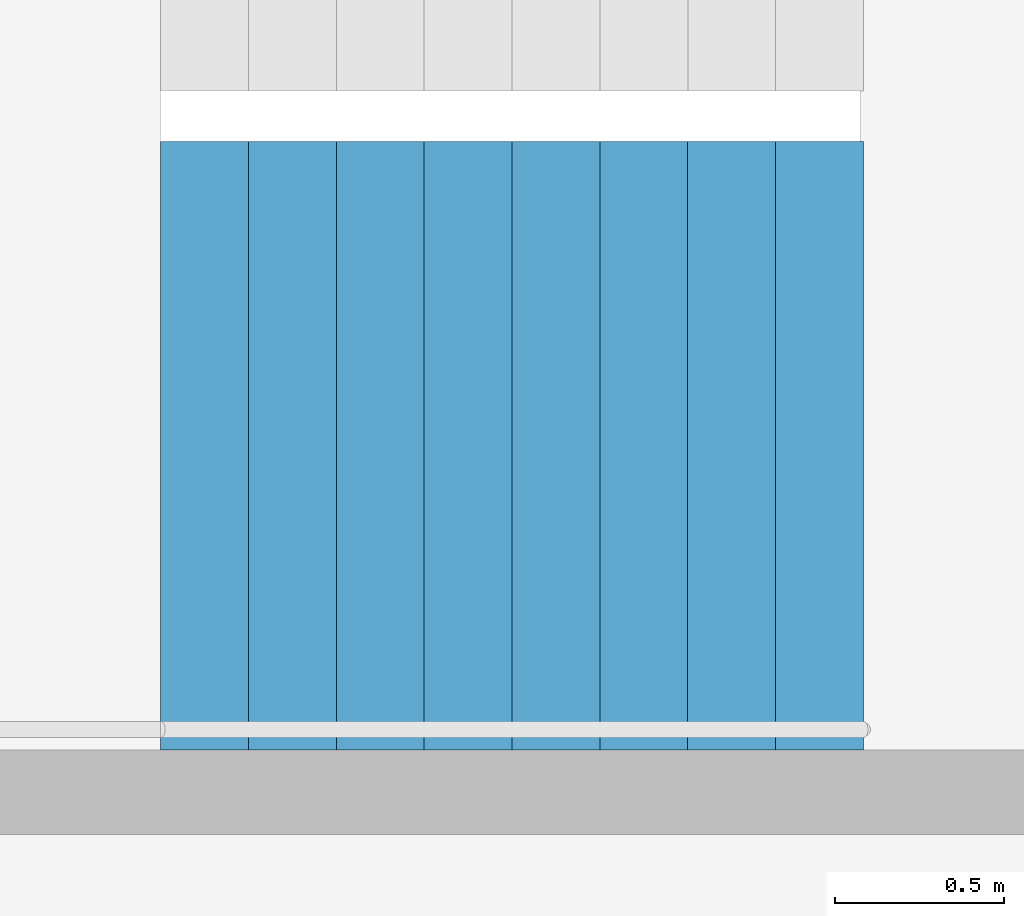
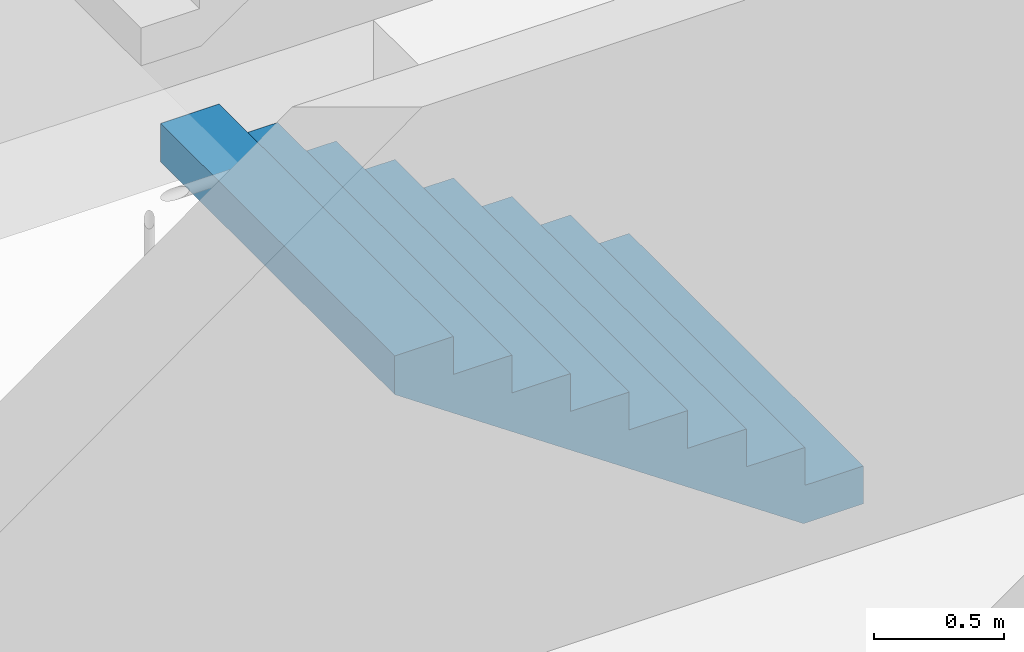
# One storey, part 25 of 27: 1 stair flight, 1 element without a shape of its own.
"""IFC4 building model written with IfcOpenShell, lengths in metres."""

from ifc_helpers import new_model, si_unit, direction, frame, origin, place, context, subcontext, project, spatial, triangles, material, type_object, element, aggregate, save


model = new_model("IFC4")

# Units and contexts
model_context = context("Model", 3, precision=1e-05, world=origin(), true_north=direction((0.0, 1.0)))
body_context = subcontext(model_context, "Body", "Model", "MODEL_VIEW")
ifc_project = project(units=[si_unit("LENGTHUNIT", "METRE"), si_unit("AREAUNIT", "SQUARE_METRE"), si_unit("VOLUMEUNIT", "CUBIC_METRE"), si_unit("PLANEANGLEUNIT", "RADIAN"), si_unit("MASSUNIT", "GRAM", prefix="KILO")], contexts=[model_context])

# Site, building, storey
site_placement = place(None, origin())
site = spatial("IfcSite", under=ifc_project, at=site_placement, CompositionType="ELEMENT")
building_placement = place(site_placement, origin())
building = spatial("IfcBuilding", under=site, at=building_placement, Name="Hakoniwa Tower and Hamabe Station Hall", CompositionType="ELEMENT")
storey_placement = place(building_placement, frame((0.0, 0.0, 261.39990234375)))
storey = spatial("IfcBuildingStorey", under=building, at=storey_placement, Name="L74", CompositionType="ELEMENT", Elevation=261.39990234375)

# Stair, stair flight
ifc_material_1 = material(Name="Concrete C40", Category="concrete")
stair_type = type_object("IfcStairType", Name="ESCAPE STAIR 1800", PredefinedType="HALF_TURN_STAIR", material=ifc_material_1)
stair_placement = place(storey_placement, origin())
stair = element("IfcStair", 1, at=stair_placement, inside=storey, type_object=stair_type, Name="Escape stair ST-3 L74", PredefinedType="HALF_TURN_STAIR")
ifc_material_2 = material(Name="Concrete C40", Category="concrete")
stair_flight_type = type_object("IfcStairFlightType", Name="STAIR FLIGHT 1800", PredefinedType="STRAIGHT", material=ifc_material_2)
stair_flight_placement = place(storey_placement, frame((24.39990234375, 4.64990234375, 0.0), z_axis=(0.0, 0.0, 1.0), x_axis=(-1.0, 0.0, 0.0)))
stair_flight = element("IfcStairFlight", 2, at=stair_flight_placement, type_object=stair_flight_type, Name="ST-3 flight 1", NumberOfRisers=9, NumberOfTreads=8, PredefinedType="STRAIGHT", RiserHeight=0.177777778, TreadLength=0.26, context=body_context, shape_type="Tessellation", body=[
    triangles([(0.0, 0.89990234375, 0.0), (0.260009765625, 0.89990234375, 0.0), (0.265625, 0.89990234375, 0.0), (0.52001953125, 0.89990234375, 0.174072265625), (0.780029296875, 0.89990234375, 0.351806640625), (1.0400390625, 0.89990234375, 0.529541015625), (1.300048828125, 0.89990234375, 0.707275390625), (1.56005859375, 0.89990234375, 0.885009765625), (1.820068359375, 0.89990234375, 1.062744140625), (2.080078125, 0.89990234375, 1.24072265625), (2.080078125, 0.89990234375, 1.422119140625), (1.820068359375, 0.89990234375, 1.422119140625), (1.820068359375, 0.89990234375, 1.244384765625), (1.56005859375, 0.89990234375, 1.244384765625), (1.56005859375, 0.89990234375, 1.066650390625), (1.300048828125, 0.89990234375, 1.066650390625), (1.300048828125, 0.89990234375, 0.888916015625), (1.0400390625, 0.89990234375, 0.888916015625), (1.0400390625, 0.89990234375, 0.711181640625), (0.780029296875, 0.89990234375, 0.711181640625), (0.780029296875, 0.89990234375, 0.533447265625), (0.52001953125, 0.89990234375, 0.533447265625), (0.52001953125, 0.89990234375, 0.35546875), (0.265625, 0.89990234375, 0.35546875), (0.260009765625, 0.89990234375, 0.35546875), (0.260009765625, 0.89990234375, 0.177734375), (0.0, 0.89990234375, 0.177734375), (0.0, 0.06005859375, 0.0), (0.260009765625, 0.06005859375, 0.0), (0.265625, 0.06005859375, 0.0), (0.52001953125, 0.06005859375, 0.174072265625), (0.780029296875, 0.06005859375, 0.351806640625), (1.0400390625, 0.06005859375, 0.529541015625), (1.300048828125, 0.06005859375, 0.707275390625), (1.56005859375, 0.06005859375, 0.885009765625), (1.820068359375, 0.06005859375, 1.062744140625), (2.080078125, 0.06005859375, 1.24072265625), (2.080078125, 0.06005859375, 1.422119140625), (1.820068359375, 0.06005859375, 1.422119140625), (1.820068359375, 0.06005859375, 1.244384765625), (1.56005859375, 0.06005859375, 1.244384765625), (1.56005859375, 0.06005859375, 1.066650390625), (1.300048828125, 0.06005859375, 1.066650390625), (1.300048828125, 0.06005859375, 0.888916015625), (1.0400390625, 0.06005859375, 0.888916015625), (1.0400390625, 0.06005859375, 0.711181640625), (0.780029296875, 0.06005859375, 0.711181640625), (0.780029296875, 0.06005859375, 0.533447265625), (0.52001953125, 0.06005859375, 0.533447265625), (0.52001953125, 0.06005859375, 0.35546875), (0.265625, 0.06005859375, 0.35546875), (0.260009765625, 0.06005859375, 0.35546875), (0.260009765625, 0.06005859375, 0.177734375), (0.0, 0.06005859375, 0.177734375), (0.0, 0.04296875, 0.0), (0.260009765625, 0.04296875, 0.0), (0.265625, 0.04296875, 0.0), (0.52001953125, 0.04296875, 0.174072265625), (0.780029296875, 0.04296875, 0.351806640625), (1.0400390625, 0.04296875, 0.529541015625), (1.300048828125, 0.04296875, 0.707275390625), (1.56005859375, 0.04296875, 0.885009765625), (1.820068359375, 0.04296875, 1.062744140625), (2.080078125, 0.04296875, 1.24072265625), (2.080078125, 0.04296875, 1.422119140625), (1.820068359375, 0.04296875, 1.422119140625), (1.820068359375, 0.04296875, 1.244384765625), (1.56005859375, 0.04296875, 1.244384765625), (1.56005859375, 0.04296875, 1.066650390625), (1.300048828125, 0.04296875, 1.066650390625), (1.300048828125, 0.04296875, 0.888916015625), (1.0400390625, 0.04296875, 0.888916015625), (1.0400390625, 0.04296875, 0.711181640625), (0.780029296875, 0.04296875, 0.711181640625), (0.780029296875, 0.04296875, 0.533447265625), (0.52001953125, 0.04296875, 0.533447265625), (0.52001953125, 0.04296875, 0.35546875), (0.265625, 0.04296875, 0.35546875), (0.260009765625, 0.04296875, 0.35546875), (0.260009765625, 0.04296875, 0.177734375), (0.0, 0.04296875, 0.177734375), (0.0, 0.025634765625, 0.0), (0.260009765625, 0.025634765625, 0.0), (0.265625, 0.025634765625, 0.0), (0.52001953125, 0.025634765625, 0.174072265625), (0.780029296875, 0.025634765625, 0.351806640625), (1.0400390625, 0.025634765625, 0.529541015625), (1.300048828125, 0.025634765625, 0.707275390625), (1.56005859375, 0.025634765625, 0.885009765625), (1.820068359375, 0.025634765625, 1.062744140625), (2.080078125, 0.025634765625, 1.24072265625), (2.080078125, 0.025634765625, 1.422119140625), (1.820068359375, 0.025634765625, 1.422119140625), (1.820068359375, 0.025634765625, 1.244384765625), (1.56005859375, 0.025634765625, 1.244384765625), (1.56005859375, 0.025634765625, 1.066650390625), (1.300048828125, 0.025634765625, 1.066650390625), (1.300048828125, 0.025634765625, 0.888916015625), (1.0400390625, 0.025634765625, 0.888916015625), (1.0400390625, 0.025634765625, 0.711181640625), (0.780029296875, 0.025634765625, 0.711181640625), (0.780029296875, 0.025634765625, 0.533447265625), (0.52001953125, 0.025634765625, 0.533447265625), (0.52001953125, 0.025634765625, 0.35546875), (0.265625, 0.025634765625, 0.35546875), (0.260009765625, 0.025634765625, 0.35546875), (0.260009765625, 0.025634765625, 0.177734375), (0.0, 0.025634765625, 0.177734375), (0.0, 0.008544921875, 0.0), (0.260009765625, 0.008544921875, 0.0), (0.265625, 0.008544921875, 0.0), (0.52001953125, 0.008544921875, 0.174072265625), (0.780029296875, 0.008544921875, 0.351806640625), (1.0400390625, 0.008544921875, 0.529541015625), (1.300048828125, 0.008544921875, 0.707275390625), (1.56005859375, 0.008544921875, 0.885009765625), (1.820068359375, 0.008544921875, 1.062744140625), (2.080078125, 0.008544921875, 1.24072265625), (2.080078125, 0.008544921875, 1.422119140625), (1.820068359375, 0.008544921875, 1.422119140625), (1.820068359375, 0.008544921875, 1.244384765625), (1.56005859375, 0.008544921875, 1.244384765625), (1.56005859375, 0.008544921875, 1.066650390625), (1.300048828125, 0.008544921875, 1.066650390625), (1.300048828125, 0.008544921875, 0.888916015625), (1.0400390625, 0.008544921875, 0.888916015625), (1.0400390625, 0.008544921875, 0.711181640625), (0.780029296875, 0.008544921875, 0.711181640625), (0.780029296875, 0.008544921875, 0.533447265625), (0.52001953125, 0.008544921875, 0.533447265625), (0.52001953125, 0.008544921875, 0.35546875), (0.265625, 0.008544921875, 0.35546875), (0.260009765625, 0.008544921875, 0.35546875), (0.260009765625, 0.008544921875, 0.177734375), (0.0, 0.008544921875, 0.177734375), (0.0, -0.008544921875, 0.0), (0.260009765625, -0.008544921875, 0.0), (0.265625, -0.008544921875, 0.0), (0.52001953125, -0.008544921875, 0.174072265625), (0.780029296875, -0.008544921875, 0.351806640625), (1.0400390625, -0.008544921875, 0.529541015625), (1.300048828125, -0.008544921875, 0.707275390625), (1.56005859375, -0.008544921875, 0.885009765625), (1.820068359375, -0.008544921875, 1.062744140625), (2.080078125, -0.008544921875, 1.24072265625), (2.080078125, -0.008544921875, 1.422119140625), (1.820068359375, -0.008544921875, 1.422119140625), (1.820068359375, -0.008544921875, 1.244384765625), (1.56005859375, -0.008544921875, 1.244384765625), (1.56005859375, -0.008544921875, 1.066650390625), (1.300048828125, -0.008544921875, 1.066650390625), (1.300048828125, -0.008544921875, 0.888916015625), (1.0400390625, -0.008544921875, 0.888916015625), (1.0400390625, -0.008544921875, 0.711181640625), (0.780029296875, -0.008544921875, 0.711181640625), (0.780029296875, -0.008544921875, 0.533447265625), (0.52001953125, -0.008544921875, 0.533447265625), (0.52001953125, -0.008544921875, 0.35546875), (0.265625, -0.008544921875, 0.35546875), (0.260009765625, -0.008544921875, 0.35546875), (0.260009765625, -0.008544921875, 0.177734375), (0.0, -0.008544921875, 0.177734375), (0.0, -0.025634765625, 0.0), (0.260009765625, -0.025634765625, 0.0), (0.265625, -0.025634765625, 0.0), (0.52001953125, -0.025634765625, 0.174072265625), (0.780029296875, -0.025634765625, 0.351806640625), (1.0400390625, -0.025634765625, 0.529541015625), (1.300048828125, -0.025634765625, 0.707275390625), (1.56005859375, -0.025634765625, 0.885009765625), (1.820068359375, -0.025634765625, 1.062744140625), (2.080078125, -0.025634765625, 1.24072265625), (2.080078125, -0.025634765625, 1.422119140625), (1.820068359375, -0.025634765625, 1.422119140625), (1.820068359375, -0.025634765625, 1.244384765625), (1.56005859375, -0.025634765625, 1.244384765625), (1.56005859375, -0.025634765625, 1.066650390625), (1.300048828125, -0.025634765625, 1.066650390625), (1.300048828125, -0.025634765625, 0.888916015625), (1.0400390625, -0.025634765625, 0.888916015625), (1.0400390625, -0.025634765625, 0.711181640625), (0.780029296875, -0.025634765625, 0.711181640625), (0.780029296875, -0.025634765625, 0.533447265625), (0.52001953125, -0.025634765625, 0.533447265625), (0.52001953125, -0.025634765625, 0.35546875), (0.265625, -0.025634765625, 0.35546875), (0.260009765625, -0.025634765625, 0.35546875), (0.260009765625, -0.025634765625, 0.177734375), (0.0, -0.025634765625, 0.177734375), (0.0, -0.04296875, 0.0), (0.260009765625, -0.04296875, 0.0), (0.265625, -0.04296875, 0.0), (0.52001953125, -0.04296875, 0.174072265625), (0.780029296875, -0.04296875, 0.351806640625), (1.0400390625, -0.04296875, 0.529541015625), (1.300048828125, -0.04296875, 0.707275390625), (1.56005859375, -0.04296875, 0.885009765625), (1.820068359375, -0.04296875, 1.062744140625), (2.080078125, -0.04296875, 1.24072265625), (2.080078125, -0.04296875, 1.422119140625), (1.820068359375, -0.04296875, 1.422119140625), (1.820068359375, -0.04296875, 1.244384765625), (1.56005859375, -0.04296875, 1.244384765625), (1.56005859375, -0.04296875, 1.066650390625), (1.300048828125, -0.04296875, 1.066650390625), (1.300048828125, -0.04296875, 0.888916015625), (1.0400390625, -0.04296875, 0.888916015625), (1.0400390625, -0.04296875, 0.711181640625), (0.780029296875, -0.04296875, 0.711181640625), (0.780029296875, -0.04296875, 0.533447265625), (0.52001953125, -0.04296875, 0.533447265625), (0.52001953125, -0.04296875, 0.35546875), (0.265625, -0.04296875, 0.35546875), (0.260009765625, -0.04296875, 0.35546875), (0.260009765625, -0.04296875, 0.177734375), (0.0, -0.04296875, 0.177734375), (0.0, -0.06005859375, 0.0), (0.260009765625, -0.06005859375, 0.0), (0.265625, -0.06005859375, 0.0), (0.52001953125, -0.06005859375, 0.174072265625), (0.780029296875, -0.06005859375, 0.351806640625), (1.0400390625, -0.06005859375, 0.529541015625), (1.300048828125, -0.06005859375, 0.707275390625), (1.56005859375, -0.06005859375, 0.885009765625), (1.820068359375, -0.06005859375, 1.062744140625), (2.080078125, -0.06005859375, 1.24072265625), (2.080078125, -0.06005859375, 1.422119140625), (1.820068359375, -0.06005859375, 1.422119140625), (1.820068359375, -0.06005859375, 1.244384765625), (1.56005859375, -0.06005859375, 1.244384765625), (1.56005859375, -0.06005859375, 1.066650390625), (1.300048828125, -0.06005859375, 1.066650390625), (1.300048828125, -0.06005859375, 0.888916015625), (1.0400390625, -0.06005859375, 0.888916015625), (1.0400390625, -0.06005859375, 0.711181640625), (0.780029296875, -0.06005859375, 0.711181640625), (0.780029296875, -0.06005859375, 0.533447265625), (0.52001953125, -0.06005859375, 0.533447265625), (0.52001953125, -0.06005859375, 0.35546875), (0.265625, -0.06005859375, 0.35546875), (0.260009765625, -0.06005859375, 0.35546875), (0.260009765625, -0.06005859375, 0.177734375), (0.0, -0.06005859375, 0.177734375), (0.0, -0.89990234375, 0.0), (0.260009765625, -0.89990234375, 0.0), (0.265625, -0.89990234375, 0.0), (0.52001953125, -0.89990234375, 0.174072265625), (0.780029296875, -0.89990234375, 0.351806640625), (1.0400390625, -0.89990234375, 0.529541015625), (1.300048828125, -0.89990234375, 0.707275390625), (1.56005859375, -0.89990234375, 0.885009765625), (1.820068359375, -0.89990234375, 1.062744140625), (2.080078125, -0.89990234375, 1.24072265625), (2.080078125, -0.89990234375, 1.422119140625), (1.820068359375, -0.89990234375, 1.422119140625), (1.820068359375, -0.89990234375, 1.244384765625), (1.56005859375, -0.89990234375, 1.244384765625), (1.56005859375, -0.89990234375, 1.066650390625), (1.300048828125, -0.89990234375, 1.066650390625), (1.300048828125, -0.89990234375, 0.888916015625), (1.0400390625, -0.89990234375, 0.888916015625), (1.0400390625, -0.89990234375, 0.711181640625), (0.780029296875, -0.89990234375, 0.711181640625), (0.780029296875, -0.89990234375, 0.533447265625), (0.52001953125, -0.89990234375, 0.533447265625), (0.52001953125, -0.89990234375, 0.35546875), (0.265625, -0.89990234375, 0.35546875), (0.260009765625, -0.89990234375, 0.35546875), (0.260009765625, -0.89990234375, 0.177734375), (0.0, -0.89990234375, 0.177734375)], [[2, 27, 26], [245, 269, 270], [2, 1, 27], [245, 270, 244], [3, 25, 24], [246, 267, 268], [3, 26, 25], [246, 268, 269], [3, 2, 26], [246, 269, 245], [4, 24, 23], [247, 266, 267], [4, 3, 24], [247, 267, 246], [5, 22, 21], [248, 264, 265], [5, 23, 22], [248, 265, 266], [5, 4, 23], [248, 266, 247], [6, 20, 19], [249, 262, 263], [6, 21, 20], [249, 263, 264], [6, 5, 21], [249, 264, 248], [7, 18, 17], [250, 260, 261], [7, 19, 18], [250, 261, 262], [7, 6, 19], [250, 262, 249], [8, 16, 15], [251, 258, 259], [8, 17, 16], [251, 259, 260], [8, 7, 17], [251, 260, 250], [9, 14, 13], [252, 256, 257], [9, 15, 14], [252, 257, 258], [9, 8, 15], [252, 258, 251], [10, 12, 11], [253, 254, 255], [10, 13, 12], [253, 255, 256], [10, 9, 13], [253, 256, 252], [1, 2, 29], [1, 29, 28], [28, 29, 56], [28, 56, 55], [55, 56, 83], [55, 83, 82], [82, 83, 110], [82, 110, 109], [109, 110, 137], [109, 137, 136], [136, 137, 164], [136, 164, 163], [163, 164, 191], [163, 191, 190], [190, 191, 218], [190, 218, 217], [217, 218, 245], [217, 245, 244], [2, 3, 30], [2, 30, 29], [29, 30, 57], [29, 57, 56], [56, 57, 84], [56, 84, 83], [83, 84, 111], [83, 111, 110], [110, 111, 138], [110, 138, 137], [137, 138, 165], [137, 165, 164], [164, 165, 192], [164, 192, 191], [191, 192, 219], [191, 219, 218], [218, 219, 246], [218, 246, 245], [3, 4, 31], [3, 31, 30], [30, 31, 58], [30, 58, 57], [57, 58, 85], [57, 85, 84], [84, 85, 112], [84, 112, 111], [111, 112, 139], [111, 139, 138], [138, 139, 166], [138, 166, 165], [165, 166, 193], [165, 193, 192], [192, 193, 220], [192, 220, 219], [219, 220, 247], [219, 247, 246], [4, 5, 32], [4, 32, 31], [31, 32, 59], [31, 59, 58], [58, 59, 86], [58, 86, 85], [85, 86, 113], [85, 113, 112], [112, 113, 140], [112, 140, 139], [139, 140, 167], [139, 167, 166], [166, 167, 194], [166, 194, 193], [193, 194, 221], [193, 221, 220], [220, 221, 248], [220, 248, 247], [5, 6, 33], [5, 33, 32], [32, 33, 60], [32, 60, 59], [59, 60, 87], [59, 87, 86], [86, 87, 114], [86, 114, 113], [113, 114, 141], [113, 141, 140], [140, 141, 168], [140, 168, 167], [167, 168, 195], [167, 195, 194], [194, 195, 222], [194, 222, 221], [221, 222, 249], [221, 249, 248], [6, 7, 34], [6, 34, 33], [33, 34, 61], [33, 61, 60], [60, 61, 88], [60, 88, 87], [87, 88, 115], [87, 115, 114], [114, 115, 142], [114, 142, 141], [141, 142, 169], [141, 169, 168], [168, 169, 196], [168, 196, 195], [195, 196, 223], [195, 223, 222], [222, 223, 250], [222, 250, 249], [7, 8, 35], [7, 35, 34], [34, 35, 62], [34, 62, 61], [61, 62, 89], [61, 89, 88], [88, 89, 116], [88, 116, 115], [115, 116, 143], [115, 143, 142], [142, 143, 170], [142, 170, 169], [169, 170, 197], [169, 197, 196], [196, 197, 224], [196, 224, 223], [223, 224, 251], [223, 251, 250], [8, 9, 36], [8, 36, 35], [35, 36, 63], [35, 63, 62], [62, 63, 90], [62, 90, 89], [89, 90, 117], [89, 117, 116], [116, 117, 144], [116, 144, 143], [143, 144, 171], [143, 171, 170], [170, 171, 198], [170, 198, 197], [197, 198, 225], [197, 225, 224], [224, 225, 252], [224, 252, 251], [9, 10, 37], [9, 37, 36], [36, 37, 64], [36, 64, 63], [63, 64, 91], [63, 91, 90], [90, 91, 118], [90, 118, 117], [117, 118, 145], [117, 145, 144], [144, 145, 172], [144, 172, 171], [171, 172, 199], [171, 199, 198], [198, 199, 226], [198, 226, 225], [225, 226, 253], [225, 253, 252], [10, 11, 38], [10, 38, 37], [37, 38, 65], [37, 65, 64], [64, 65, 92], [64, 92, 91], [91, 92, 119], [91, 119, 118], [118, 119, 146], [118, 146, 145], [145, 146, 173], [145, 173, 172], [172, 173, 200], [172, 200, 199], [199, 200, 227], [199, 227, 226], [226, 227, 254], [226, 254, 253], [11, 12, 39], [11, 39, 38], [38, 39, 66], [38, 66, 65], [65, 66, 93], [65, 93, 92], [92, 93, 120], [92, 120, 119], [119, 120, 147], [119, 147, 146], [146, 147, 174], [146, 174, 173], [173, 174, 201], [173, 201, 200], [200, 201, 228], [200, 228, 227], [227, 228, 255], [227, 255, 254], [12, 13, 40], [12, 40, 39], [39, 40, 67], [39, 67, 66], [66, 67, 94], [66, 94, 93], [93, 94, 121], [93, 121, 120], [120, 121, 148], [120, 148, 147], [147, 148, 175], [147, 175, 174], [174, 175, 202], [174, 202, 201], [201, 202, 229], [201, 229, 228], [228, 229, 256], [228, 256, 255], [13, 14, 41], [13, 41, 40], [40, 41, 68], [40, 68, 67], [67, 68, 95], [67, 95, 94], [94, 95, 122], [94, 122, 121], [121, 122, 149], [121, 149, 148], [148, 149, 176], [148, 176, 175], [175, 176, 203], [175, 203, 202], [202, 203, 230], [202, 230, 229], [229, 230, 257], [229, 257, 256], [14, 15, 42], [14, 42, 41], [41, 42, 69], [41, 69, 68], [68, 69, 96], [68, 96, 95], [95, 96, 123], [95, 123, 122], [122, 123, 150], [122, 150, 149], [149, 150, 177], [149, 177, 176], [176, 177, 204], [176, 204, 203], [203, 204, 231], [203, 231, 230], [230, 231, 258], [230, 258, 257], [15, 16, 43], [15, 43, 42], [42, 43, 70], [42, 70, 69], [69, 70, 97], [69, 97, 96], [96, 97, 124], [96, 124, 123], [123, 124, 151], [123, 151, 150], [150, 151, 178], [150, 178, 177], [177, 178, 205], [177, 205, 204], [204, 205, 232], [204, 232, 231], [231, 232, 259], [231, 259, 258], [16, 17, 44], [16, 44, 43], [43, 44, 71], [43, 71, 70], [70, 71, 98], [70, 98, 97], [97, 98, 125], [97, 125, 124], [124, 125, 152], [124, 152, 151], [151, 152, 179], [151, 179, 178], [178, 179, 206], [178, 206, 205], [205, 206, 233], [205, 233, 232], [232, 233, 260], [232, 260, 259], [17, 18, 45], [17, 45, 44], [44, 45, 72], [44, 72, 71], [71, 72, 99], [71, 99, 98], [98, 99, 126], [98, 126, 125], [125, 126, 153], [125, 153, 152], [152, 153, 180], [152, 180, 179], [179, 180, 207], [179, 207, 206], [206, 207, 234], [206, 234, 233], [233, 234, 261], [233, 261, 260], [18, 19, 46], [18, 46, 45], [45, 46, 73], [45, 73, 72], [72, 73, 100], [72, 100, 99], [99, 100, 127], [99, 127, 126], [126, 127, 154], [126, 154, 153], [153, 154, 181], [153, 181, 180], [180, 181, 208], [180, 208, 207], [207, 208, 235], [207, 235, 234], [234, 235, 262], [234, 262, 261], [19, 20, 47], [19, 47, 46], [46, 47, 74], [46, 74, 73], [73, 74, 101], [73, 101, 100], [100, 101, 128], [100, 128, 127], [127, 128, 155], [127, 155, 154], [154, 155, 182], [154, 182, 181], [181, 182, 209], [181, 209, 208], [208, 209, 236], [208, 236, 235], [235, 236, 263], [235, 263, 262], [20, 21, 48], [20, 48, 47], [47, 48, 75], [47, 75, 74], [74, 75, 102], [74, 102, 101], [101, 102, 129], [101, 129, 128], [128, 129, 156], [128, 156, 155], [155, 156, 183], [155, 183, 182], [182, 183, 210], [182, 210, 209], [209, 210, 237], [209, 237, 236], [236, 237, 264], [236, 264, 263], [21, 22, 49], [21, 49, 48], [48, 49, 76], [48, 76, 75], [75, 76, 103], [75, 103, 102], [102, 103, 130], [102, 130, 129], [129, 130, 157], [129, 157, 156], [156, 157, 184], [156, 184, 183], [183, 184, 211], [183, 211, 210], [210, 211, 238], [210, 238, 237], [237, 238, 265], [237, 265, 264], [22, 23, 50], [22, 50, 49], [49, 50, 77], [49, 77, 76], [76, 77, 104], [76, 104, 103], [103, 104, 131], [103, 131, 130], [130, 131, 158], [130, 158, 157], [157, 158, 185], [157, 185, 184], [184, 185, 212], [184, 212, 211], [211, 212, 239], [211, 239, 238], [238, 239, 266], [238, 266, 265], [23, 24, 51], [23, 51, 50], [50, 51, 78], [50, 78, 77], [77, 78, 105], [77, 105, 104], [104, 105, 132], [104, 132, 131], [131, 132, 159], [131, 159, 158], [158, 159, 186], [158, 186, 185], [185, 186, 213], [185, 213, 212], [212, 213, 240], [212, 240, 239], [239, 240, 267], [239, 267, 266], [24, 25, 52], [24, 52, 51], [51, 52, 79], [51, 79, 78], [78, 79, 106], [78, 106, 105], [105, 106, 133], [105, 133, 132], [132, 133, 160], [132, 160, 159], [159, 160, 187], [159, 187, 186], [186, 187, 214], [186, 214, 213], [213, 214, 241], [213, 241, 240], [240, 241, 268], [240, 268, 267], [25, 26, 53], [25, 53, 52], [52, 53, 80], [52, 80, 79], [79, 80, 107], [79, 107, 106], [106, 107, 134], [106, 134, 133], [133, 134, 161], [133, 161, 160], [160, 161, 188], [160, 188, 187], [187, 188, 215], [187, 215, 214], [214, 215, 242], [214, 242, 241], [241, 242, 269], [241, 269, 268], [26, 27, 54], [26, 54, 53], [53, 54, 81], [53, 81, 80], [80, 81, 108], [80, 108, 107], [107, 108, 135], [107, 135, 134], [134, 135, 162], [134, 162, 161], [161, 162, 189], [161, 189, 188], [188, 189, 216], [188, 216, 215], [215, 216, 243], [215, 243, 242], [242, 243, 270], [242, 270, 269], [27, 1, 28], [27, 28, 54], [54, 28, 55], [54, 55, 81], [81, 55, 82], [81, 82, 108], [108, 82, 109], [108, 109, 135], [135, 109, 136], [135, 136, 162], [162, 136, 163], [162, 163, 189], [189, 163, 190], [189, 190, 216], [216, 190, 217], [216, 217, 243], [243, 217, 244], [243, 244, 270]], closed=True),
])
aggregate(stair, [stair_flight])

save(model, "model.ifc")
